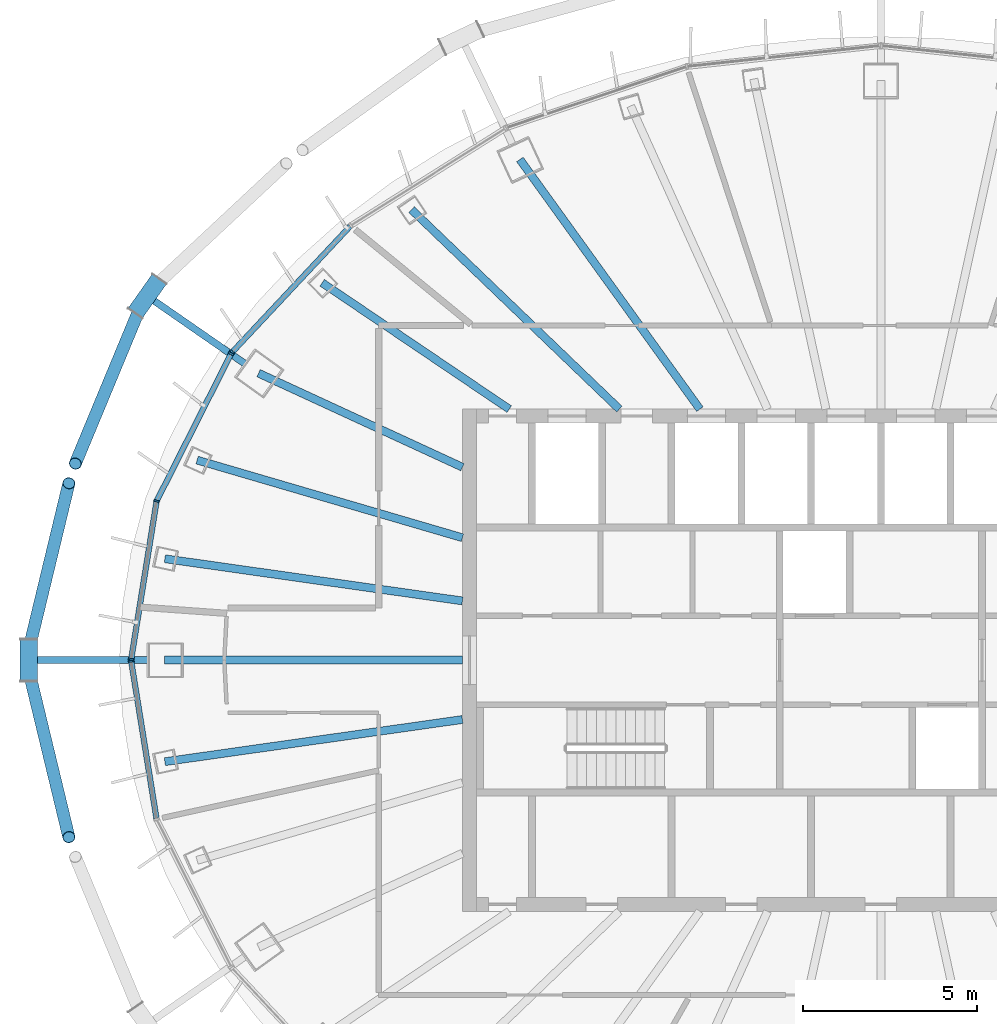
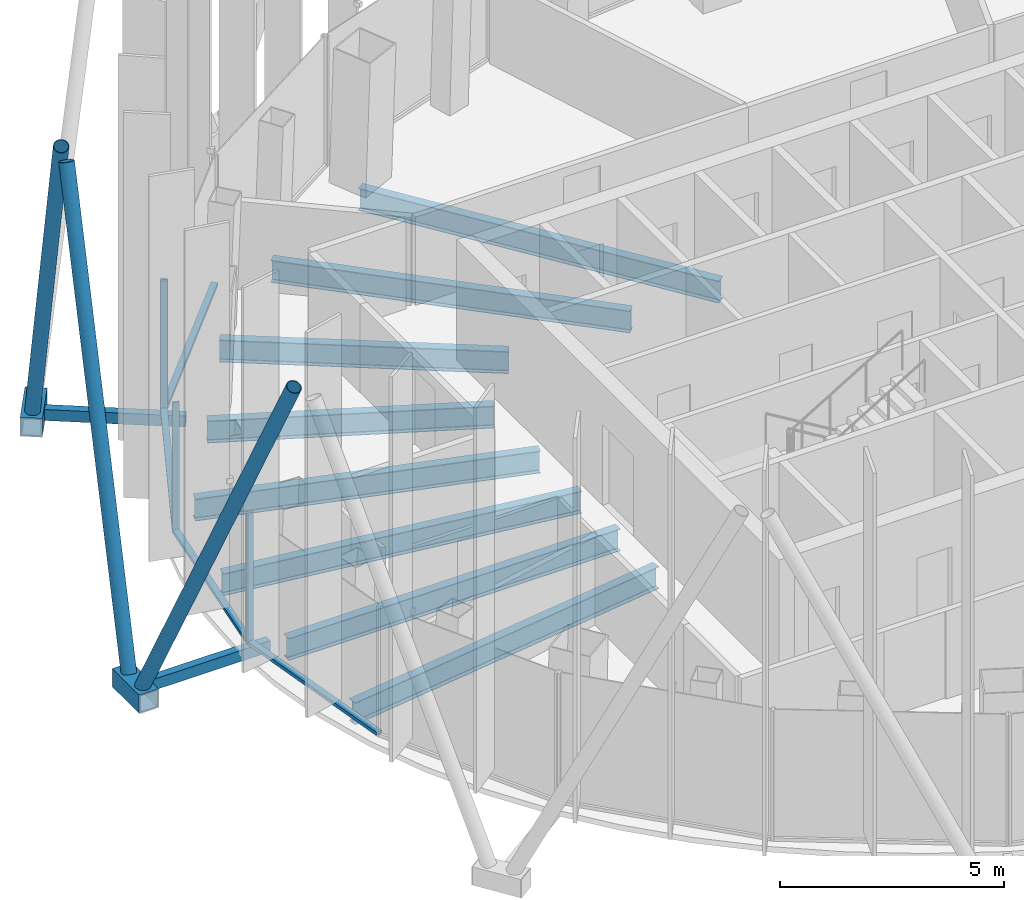
# One storey, part 4 of 20: 16 members, 8 beams, 3 elements without a shape of their own.
"""IFC4 building model written with IfcOpenShell, lengths in metres."""

from ifc_helpers import new_model, si_unit, direction, frame, origin, origin_2d, place, context, subcontext, project, spatial, rectangle, hollow_rectangle, hollow_circle, i_section, extrude, material, layer, layer_set, material_profile, profile_set, type_object, element, aggregate, save


model = new_model("IFC4")

# Units and contexts
model_context = context("Model", 3, precision=1e-05, world=origin(), true_north=direction((0.0, 1.0)))
body_context = subcontext(model_context, "Body", "Model", "MODEL_VIEW")
ifc_project = project(units=[si_unit("LENGTHUNIT", "METRE"), si_unit("AREAUNIT", "SQUARE_METRE"), si_unit("VOLUMEUNIT", "CUBIC_METRE"), si_unit("PLANEANGLEUNIT", "RADIAN"), si_unit("MASSUNIT", "GRAM", prefix="KILO")], contexts=[model_context])

# Site, building, storey
site_placement = place(None, origin())
site = spatial("IfcSite", under=ifc_project, at=site_placement, CompositionType="ELEMENT")
building_placement = place(site_placement, origin())
building = spatial("IfcBuilding", under=site, at=building_placement, Name="Siaravel Broadcast Tower", CompositionType="ELEMENT")
storey_placement = place(building_placement, frame((0.0, 0.0, 228.199951171875)))
storey = spatial("IfcBuildingStorey", under=building, at=storey_placement, Name="L55", CompositionType="ELEMENT", Elevation=228.199951171875)

# Beams
ifc_material_1 = material(Name="Steel S355", Category="steel")
ifc_material_profile_1 = material_profile(ifc_material_1, i_section(OverallWidth=0.2275390625, OverallDepth=0.6025390625, WebThickness=0.010498046875, FlangeThickness=0.014892578125, FilletRadius=0.0126953125, at=origin_2d()))
ifc_profile_set_1 = profile_set([ifc_material_profile_1], Name="Steel S355")
beam_type = type_object("IfcBeamType", Name="BM-UB 610x229x101", PredefinedType="BEAM", material=ifc_profile_set_1)
beam_1_placement = place(storey_placement, frame((-10.351806640625, 14.359375, -0.451171875), z_axis=(0.584778294, -0.811193163, 0.0), x_axis=(0.811193163, 0.584778294, 0.0)))
element("IfcBeam", 1, at=beam_1_placement, inside=storey, type_object=beam_type, Name="Radial beam RB13", PredefinedType="BEAM", context=body_context, shape_type="SweptSolid", body=[
    extrude(i_section(OverallWidth=0.2275390625, OverallDepth=0.6025390625, WebThickness=0.010498046875, FlangeThickness=0.014892578125, FilletRadius=0.0126953125, at=origin_2d()), origin(), (0.0, 0.0, 1.0), 8.82568359375),
])
beam_2_placement = place(storey_placement, frame((-13.45947265625, 12.921875, -0.451171875), z_axis=(0.721365472, -0.692554587, 0.0), x_axis=(0.692554587, 0.721365472, 0.0)))
element("IfcBeam", 2, at=beam_2_placement, inside=storey, type_object=beam_type, Name="Radial beam RB14", PredefinedType="BEAM", context=body_context, shape_type="SweptSolid", body=[
    extrude(i_section(OverallWidth=0.2275390625, OverallDepth=0.6025390625, WebThickness=0.010498046875, FlangeThickness=0.014892578125, FilletRadius=0.0126953125, at=origin_2d()), origin(), (0.0, 0.0, 1.0), 8.261962890625),
])
beam_3_placement = place(storey_placement, frame((-16.021484375, 10.823486328125, -0.451171875), z_axis=(0.828634362, -0.559790223, 0.0), x_axis=(0.559790223, 0.828634362, 0.0)))
element("IfcBeam", 3, at=beam_3_placement, inside=storey, type_object=beam_type, Name="Radial beam RB15", PredefinedType="BEAM", context=body_context, shape_type="SweptSolid", body=[
    extrude(i_section(OverallWidth=0.2275390625, OverallDepth=0.6025390625, WebThickness=0.010498046875, FlangeThickness=0.014892578125, FilletRadius=0.0126953125, at=origin_2d()), origin(), (0.0, 0.0, 1.0), 6.47314453125),
])
beam_4_placement = place(storey_placement, frame((-17.84521484375, 8.230712890625, -0.451171875), z_axis=(0.908062594, -0.418834484, 0.0), x_axis=(0.418834484, 0.908062594, 0.0)))
element("IfcBeam", 4, at=beam_4_placement, inside=storey, type_object=beam_type, Name="Radial beam RB16", PredefinedType="BEAM", context=body_context, shape_type="SweptSolid", body=[
    extrude(i_section(OverallWidth=0.2275390625, OverallDepth=0.6025390625, WebThickness=0.010498046875, FlangeThickness=0.014892578125, FilletRadius=0.0126953125, at=origin_2d()), origin(), (0.0, 0.0, 1.0), 6.43701171875),
])
beam_5_placement = place(storey_placement, frame((-19.607666015625, 5.73876953125, -0.451171875), z_axis=(0.959739837, -0.28089045, 0.0), x_axis=(0.28089045, 0.959739837, 0.0)))
element("IfcBeam", 5, at=beam_5_placement, inside=storey, type_object=beam_type, Name="Radial beam RB17", PredefinedType="BEAM", context=body_context, shape_type="SweptSolid", body=[
    extrude(i_section(OverallWidth=0.2275390625, OverallDepth=0.6025390625, WebThickness=0.010498046875, FlangeThickness=0.014892578125, FilletRadius=0.0126953125, at=origin_2d()), origin(), (0.0, 0.0, 1.0), 7.9267578125),
])
beam_6_placement = place(storey_placement, frame((-20.533203125, 2.91015625, -0.451171875), z_axis=(0.990104132, -0.140334627, 0.0), x_axis=(0.140334627, 0.990104132, 0.0)))
element("IfcBeam", 6, at=beam_6_placement, inside=storey, type_object=beam_type, Name="Radial beam RB18", PredefinedType="BEAM", context=body_context, shape_type="SweptSolid", body=[
    extrude(i_section(OverallWidth=0.2275390625, OverallDepth=0.6025390625, WebThickness=0.010498046875, FlangeThickness=0.014892578125, FilletRadius=0.0126953125, at=origin_2d()), origin(), (0.0, 0.0, 1.0), 8.618408203125),
])
beam_7_placement = place(storey_placement, frame((-20.544189453125, 0.0, -0.451171875), z_axis=(1.0, 0.0, 0.0), x_axis=(0.0, 1.0, 0.0)))
element("IfcBeam", 7, at=beam_7_placement, inside=storey, type_object=beam_type, Name="Radial beam RB19", PredefinedType="BEAM", context=body_context, shape_type="SweptSolid", body=[
    extrude(i_section(OverallWidth=0.2275390625, OverallDepth=0.6025390625, WebThickness=0.010498046875, FlangeThickness=0.014892578125, FilletRadius=0.0126953125, at=origin_2d()), origin(), (0.0, 0.0, 1.0), 8.544189453125),
])
beam_8_placement = place(storey_placement, frame((-20.533203125, -2.91015625, -0.451171875), z_axis=(0.990104132, 0.140334627, 0.0), x_axis=(-0.140334627, 0.990104132, 0.0)))
element("IfcBeam", 8, at=beam_8_placement, inside=storey, type_object=beam_type, Name="Radial beam RB20", PredefinedType="BEAM", context=body_context, shape_type="SweptSolid", body=[
    extrude(i_section(OverallWidth=0.2275390625, OverallDepth=0.6025390625, WebThickness=0.010498046875, FlangeThickness=0.014892578125, FilletRadius=0.0126953125, at=origin_2d()), origin(), (0.0, 0.0, 1.0), 8.618408203125),
])

# Curtain wall, member
ifc_material_2 = material(Name="Aluminium 6063-T6", Category="aluminium")
ifc_layer = layer(ifc_material_2, 0.159912109375)
ifc_layer_set = layer_set([ifc_layer], Name="Aluminium 6063-T6")
curtain_wall_type = type_object("IfcCurtainWallType", Name="Unitised curtain wall, zone 4", PredefinedType="NOTDEFINED", material=ifc_layer_set)
curtain_wall_1_placement = place(storey_placement, origin())
curtain_wall_1 = element("IfcCurtainWall", 9, at=curtain_wall_1_placement, inside=storey, type_object=curtain_wall_type, Name="L55 Unitised curtain wall, zone 4 05", PredefinedType="NOTDEFINED")
ifc_material_profile_2 = material_profile(ifc_material_2, rectangle(XDim=0.159912109375, YDim=0.054931640625, at=origin_2d()))
ifc_profile_set_2 = profile_set([ifc_material_profile_2], Name="Aluminium 6063-T6")
member_type_1 = type_object("IfcMemberType", Name="CW-Z4 mullion", PredefinedType="MULLION", material=ifc_profile_set_2)
member_1_placement = place(storey_placement, frame((-18.60009765625, 8.834716796875, 0.0), z_axis=(0.0, 0.0, 1.0), x_axis=(0.72980635, -0.683653927, 0.0)))
member_1 = element("IfcMember", 10, at=member_1_placement, type_object=member_type_1, Name="CW-Z4 mullion 3", PredefinedType="MULLION", context=body_context, shape_type="SweptSolid", body=[
    extrude(rectangle(XDim=0.159912109375, YDim=0.054931640625, at=origin_2d()), origin(), (0.0, 0.0, 1.0), 3.550048828125),
])

# Curtain wall, members
curtain_wall_2_placement = place(storey_placement, origin())
curtain_wall_2 = element("IfcCurtainWall", 11, at=curtain_wall_2_placement, inside=storey, type_object=curtain_wall_type, Name="L55 Unitised curtain wall, zone 4 06", PredefinedType="NOTDEFINED")
member_2_placement = place(storey_placement, frame((-18.63134765625, 8.7900390625, 0.0), z_axis=(0.0, 0.0, 1.0), x_axis=(0.89239278, -0.451259489, 0.0)))
member_2 = element("IfcMember", 12, at=member_2_placement, type_object=member_type_1, Name="CW-Z4 mullion 1", PredefinedType="MULLION", context=body_context, shape_type="SweptSolid", body=[
    extrude(rectangle(XDim=0.159912109375, YDim=0.054931640625, at=origin_2d()), origin(), (0.0, 0.0, 1.0), 3.550048828125),
])
member_3_placement = place(storey_placement, frame((-20.7685546875, 4.5634765625, 0.0), z_axis=(0.0, 0.0, 1.0), x_axis=(0.951177556, -0.308644223, 0.0)))
member_3 = element("IfcMember", 13, at=member_3_placement, type_object=member_type_1, Name="CW-Z4 mullion 2", PredefinedType="MULLION", context=body_context, shape_type="SweptSolid", body=[
    extrude(rectangle(XDim=0.159912109375, YDim=0.054931640625, at=origin_2d()), origin(), (0.0, 0.0, 1.0), 3.550048828125),
])
member_4_placement = place(storey_placement, frame((-21.49755859375, 0.027099609375, 0.0), z_axis=(0.0, 0.0, 1.0), x_axis=(0.987329287, -0.158684841, 0.0)))
member_4 = element("IfcMember", 14, at=member_4_placement, type_object=member_type_1, Name="CW-Z4 mullion 3", PredefinedType="MULLION", context=body_context, shape_type="SweptSolid", body=[
    extrude(rectangle(XDim=0.159912109375, YDim=0.054931640625, at=origin_2d()), origin(), (0.0, 0.0, 1.0), 3.550048828125),
])

# Curtain wall, member
curtain_wall_3_placement = place(storey_placement, origin())
curtain_wall_3 = element("IfcCurtainWall", 15, at=curtain_wall_3_placement, inside=storey, type_object=curtain_wall_type, Name="L55 Unitised curtain wall, zone 4 07", PredefinedType="NOTDEFINED")
member_5_placement = place(storey_placement, frame((-21.49755859375, -0.027099609375, 0.0), z_axis=(0.0, 0.0, 1.0), x_axis=(0.987329287, 0.158684841, 0.0)))
member_5 = element("IfcMember", 16, at=member_5_placement, type_object=member_type_1, Name="CW-Z4 mullion 1", PredefinedType="MULLION", context=body_context, shape_type="SweptSolid", body=[
    extrude(rectangle(XDim=0.159912109375, YDim=0.054931640625, at=origin_2d()), origin(), (0.0, 0.0, 1.0), 3.550048828125),
])

# Member
ifc_material_profile_3 = material_profile(ifc_material_2, rectangle(XDim=0.159912109375, YDim=0.090087890625, at=origin_2d()))
ifc_profile_set_3 = profile_set([ifc_material_profile_3], Name="Aluminium 6063-T6")
member_type_2 = type_object("IfcMemberType", Name="CW-Z4 transom", PredefinedType="USERDEFINED", material=ifc_profile_set_3)
member_6_placement = place(storey_placement, frame((-15.21923828125, 12.443603515625, 0.045166015625), z_axis=(-0.68367025, -0.729791059, 0.0), x_axis=(0.729791059, -0.68367025, 0.0)))
member_6 = element("IfcMember", 17, at=member_6_placement, type_object=member_type_2, Name="CW-Z4 transom 2", ObjectType="TRANSOM", PredefinedType="USERDEFINED", context=body_context, shape_type="SweptSolid", body=[
    extrude(rectangle(XDim=0.159912109375, YDim=0.090087890625, at=origin_2d()), origin(), (0.0, 0.0, 1.0), 4.917724609375),
])

aggregate(curtain_wall_1, [member_1, member_6])

member_7_placement = place(storey_placement, frame((-18.643798828125, 8.765380859375, 0.045166015625), z_axis=(-0.451235344, -0.892404989, 0.0), x_axis=(0.892404989, -0.451235344, 0.0)))
member_7 = element("IfcMember", 18, at=member_7_placement, type_object=member_type_2, Name="CW-Z4 transom 1", ObjectType="TRANSOM", PredefinedType="USERDEFINED", context=body_context, shape_type="SweptSolid", body=[
    extrude(rectangle(XDim=0.159912109375, YDim=0.090087890625, at=origin_2d()), origin(), (0.0, 0.0, 1.0), 4.68115234375),
])

member_8_placement = place(storey_placement, frame((-20.77294921875, 4.536376953125, 0.045166015625), z_axis=(-0.158701499, -0.98732661, 0.0), x_axis=(0.98732661, -0.158701499, 0.0)))
member_8 = element("IfcMember", 19, at=member_8_placement, type_object=member_type_2, Name="CW-Z4 transom 2", ObjectType="TRANSOM", PredefinedType="USERDEFINED", context=body_context, shape_type="SweptSolid", body=[
    extrude(rectangle(XDim=0.159912109375, YDim=0.090087890625, at=origin_2d()), origin(), (0.0, 0.0, 1.0), 4.539794921875),
])

aggregate(curtain_wall_2, [member_2, member_3, member_4, member_7, member_8])

member_9_placement = place(storey_placement, frame((-21.493408203125, -0.05419921875, 0.045166015625), z_axis=(0.158701499, -0.98732661, 0.0), x_axis=(0.98732661, 0.158701499, 0.0)))
member_9 = element("IfcMember", 20, at=member_9_placement, type_object=member_type_2, Name="CW-Z4 transom 1", ObjectType="TRANSOM", PredefinedType="USERDEFINED", context=body_context, shape_type="SweptSolid", body=[
    extrude(rectangle(XDim=0.159912109375, YDim=0.090087890625, at=origin_2d()), origin(), (0.0, 0.0, 1.0), 4.539794921875),
])

aggregate(curtain_wall_3, [member_5, member_9])

# Members
ifc_material_3 = material(Name="Steel S460", Category="steel")
ifc_material_profile_4 = material_profile(ifc_material_3, hollow_circle(Radius=0.177734375, WallThickness=0.012451171875, at=origin_2d()))
ifc_profile_set_4 = profile_set([ifc_material_profile_4], Name="Steel S460")
member_type_3 = type_object("IfcMemberType", Name="Diagrid diagonal CHS 355.6x12.5", PredefinedType="BRACE", material=ifc_profile_set_4)
member_10_placement = place(storey_placement, frame((-21.206298828125, 10.199462890625, 0.02001953125), z_axis=(-0.161211025, -0.388315343, 0.907315932), x_axis=(0.923571851, -0.383425398, 0.0)))
element("IfcMember", 21, at=member_10_placement, inside=storey, type_object=member_type_3, Name="Diagrid diagonal R23 station 30A", PredefinedType="BRACE", context=body_context, shape_type="SweptSolid", body=[
    extrude(hollow_circle(Radius=0.177734375, WallThickness=0.012451171875, at=origin_2d()), origin(), (0.0, 0.0, 1.0), 11.748779296875),
])
for number, where, z_axis, x_axis, name in (
    (22, (-24.436279296875, 0.295654296875, 0.02001953125), (0.09814257, 0.407149206, 0.908073543), (-0.972155588, 0.234336324, 0.0), "Diagrid diagonal R23 station 36C"),
    (23, (-24.436279296875, -0.295654296875, 0.02001953125), (0.09814257, -0.407149206, 0.908073543), (0.972155588, 0.234336324, 0.0), "Diagrid diagonal R23 station 36A"),
):
    element("IfcMember", number, at=place(storey_placement, frame(where, z_axis=z_axis, x_axis=x_axis)), inside=storey, type_object=member_type_3, Name=name, PredefinedType="BRACE", context=body_context, shape_type="SweptSolid", body=[
        extrude(hollow_circle(Radius=0.177734375, WallThickness=0.012451171875, at=origin_2d()), origin(), (0.0, 0.0, 1.0), 11.739013671875),
    ])
ifc_material_profile_5 = material_profile(ifc_material_3, hollow_rectangle(XDim=0.5, YDim=0.5, WallThickness=0.031982421875, at=origin_2d()))
ifc_profile_set_5 = profile_set([ifc_material_profile_5], Name="Steel S460")
member_type_4 = type_object("IfcMemberType", Name="Diagrid node BOX 500x500x32", PredefinedType="USERDEFINED", material=ifc_profile_set_5)
member_11_placement = place(storey_placement, frame((-20.694091796875, 10.926025390625, -0.199951171875), z_axis=(-0.576069144, -0.817400967, 0.0), x_axis=(0.817400967, -0.576069144, 0.0)))
element("IfcMember", 24, at=member_11_placement, inside=storey, type_object=member_type_4, Name="Diagrid node R23 station 30", ObjectType="DIAGRID NODE", PredefinedType="USERDEFINED", context=body_context, shape_type="SweptSolid", body=[
    extrude(hollow_rectangle(XDim=0.5, YDim=0.5, WallThickness=0.031982421875, at=origin_2d()), origin(), (0.0, 0.0, 1.0), 1.186767578125),
])
member_12_placement = place(storey_placement, frame((-24.436279296875, 0.593505859375, -0.199951171875), z_axis=(0.0, -1.0, 0.0), x_axis=(1.0, 0.0, 0.0)))
element("IfcMember", 25, at=member_12_placement, inside=storey, type_object=member_type_4, Name="Diagrid node R23 station 36", ObjectType="DIAGRID NODE", PredefinedType="USERDEFINED", context=body_context, shape_type="SweptSolid", body=[
    extrude(hollow_rectangle(XDim=0.5, YDim=0.5, WallThickness=0.031982421875, at=origin_2d()), origin(), (0.0, 0.0, 1.0), 1.18701171875),
])
ifc_material_profile_6 = material_profile(ifc_material_3, hollow_rectangle(XDim=0.199951171875, YDim=0.300048828125, WallThickness=0.012451171875, at=origin_2d()))
ifc_profile_set_6 = profile_set([ifc_material_profile_6], Name="Steel S460")
member_type_5 = type_object("IfcMemberType", Name="Diagrid node arm RHS 300x200x12.5", PredefinedType="STRUT", material=ifc_profile_set_6)
member_13_placement = place(storey_placement, frame((-18.2314453125, 8.498291015625, -0.199951171875), z_axis=(-0.821996626, 0.569492358, 0.0), x_axis=(-0.569492358, -0.821996626, 0.0)))
element("IfcMember", 26, at=member_13_placement, inside=storey, type_object=member_type_5, Name="Node arm R23 station 30", PredefinedType="STRUT", context=body_context, shape_type="SweptSolid", body=[
    extrude(hollow_rectangle(XDim=0.199951171875, YDim=0.300048828125, WallThickness=0.012451171875, at=origin_2d()), origin(), (0.0, 0.0, 1.0), 3.191650390625),
])
member_14_placement = place(storey_placement, frame((-21.01416015625, 0.0, -0.199951171875), z_axis=(-1.0, 0.0, 0.0), x_axis=(0.0, -1.0, 0.0)))
element("IfcMember", 27, at=member_14_placement, inside=storey, type_object=member_type_5, Name="Node arm R23 station 36", PredefinedType="STRUT", context=body_context, shape_type="SweptSolid", body=[
    extrude(hollow_rectangle(XDim=0.199951171875, YDim=0.300048828125, WallThickness=0.012451171875, at=origin_2d()), origin(), (0.0, 0.0, 1.0), 3.2021484375),
])

save(model, "model.ifc")
